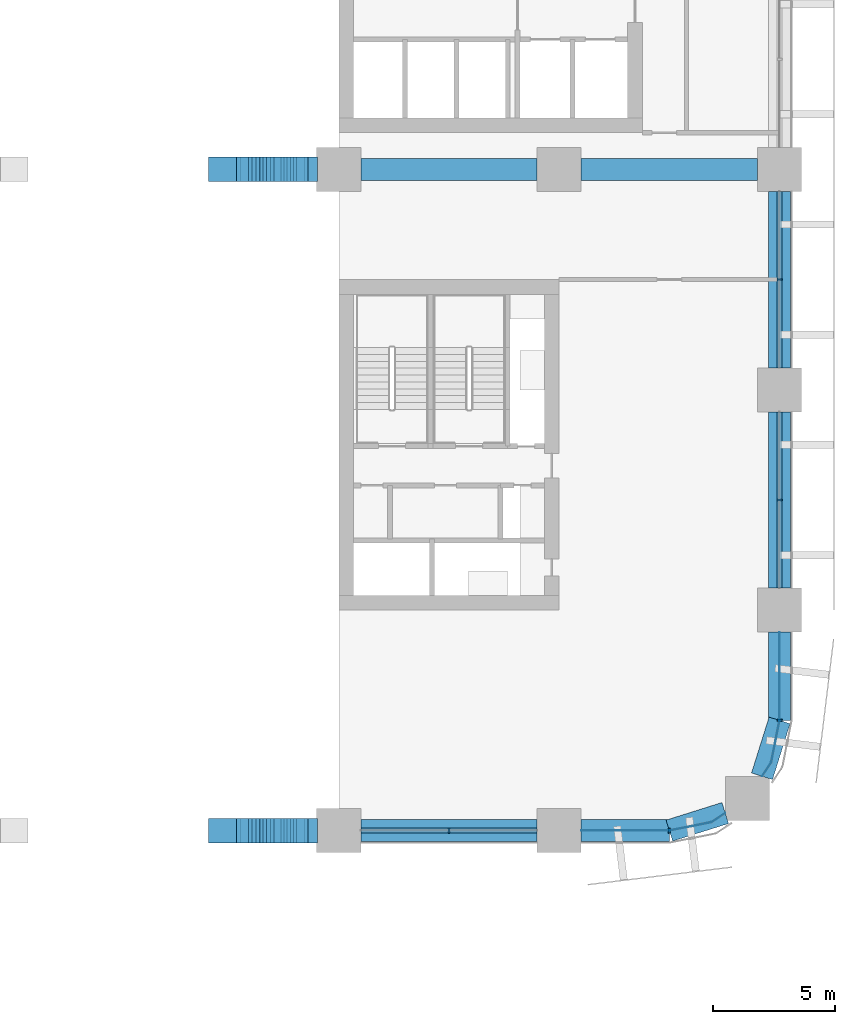
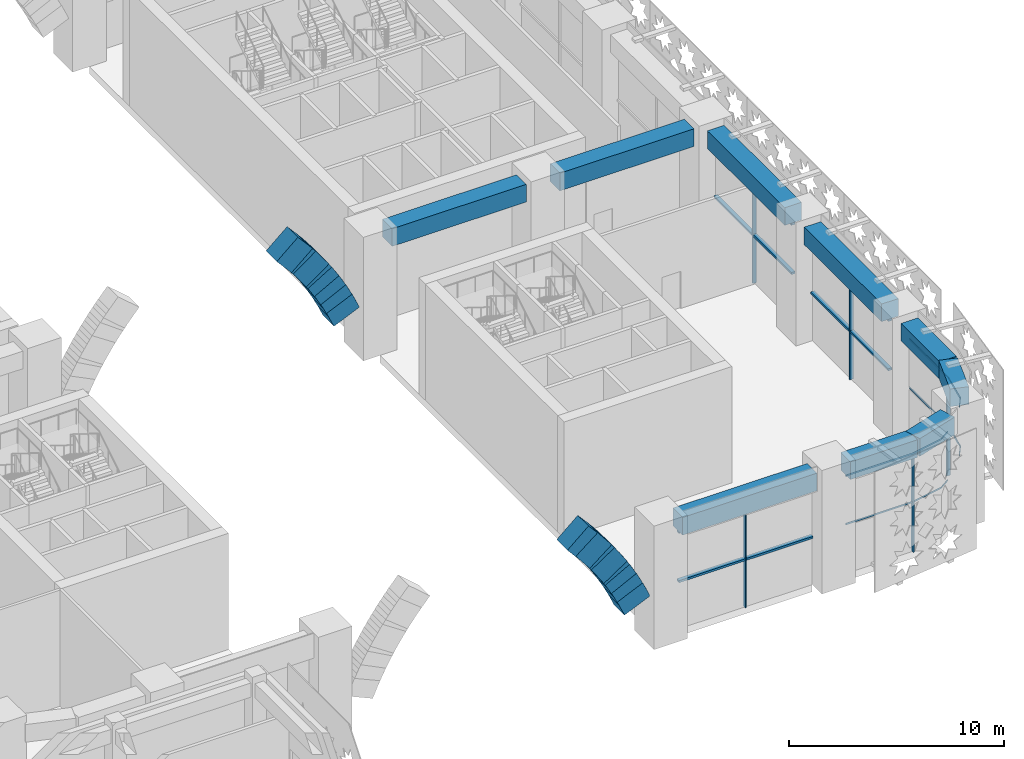
# One storey, part 6 of 42: 31 members, 9 beams, 5 elements without a shape of their own.
"""IFC4 building model written with IfcOpenShell, lengths in metres."""

from ifc_helpers import new_model, si_unit, direction, frame, origin, origin_2d, place, context, subcontext, project, spatial, polyline, rectangle, outline, extrude, material, material_profile, profile_set, type_object, element, aggregate, save


model = new_model("IFC4")

# Units and contexts
model_context = context("Model", 3, precision=1e-05, world=origin(), true_north=direction((0.0, 1.0)))
body_context = subcontext(model_context, "Body", "Model", "MODEL_VIEW")
ifc_project = project(units=[si_unit("LENGTHUNIT", "METRE"), si_unit("AREAUNIT", "SQUARE_METRE"), si_unit("VOLUMEUNIT", "CUBIC_METRE"), si_unit("PLANEANGLEUNIT", "RADIAN"), si_unit("MASSUNIT", "GRAM", prefix="KILO")], contexts=[model_context])

# Site, building, storey
site_placement = place(None, origin())
site = spatial("IfcSite", under=ifc_project, at=site_placement, CompositionType="ELEMENT")
building_placement = place(site_placement, origin())
building = spatial("IfcBuilding", under=site, at=building_placement, Name="Tessera Arch", CompositionType="ELEMENT")
storey_placement = place(building_placement, frame((0.0, 0.0, 14.0)))
storey = spatial("IfcBuildingStorey", under=building, at=storey_placement, Name="L02", CompositionType="ELEMENT", Elevation=14.0)

# Members
ifc_material_1 = material(Name="Concrete C80/95", Category="concrete")
ifc_material_profile_1 = material_profile(ifc_material_1, rectangle(XDim=1.0, YDim=1.5, at=origin_2d()), Name="RC 1000x1500")
ifc_profile_set_1 = profile_set([ifc_material_profile_1], Name="Concrete C80/95")
member_type_1 = type_object("IfcMemberType", Name="Arch rib RC 1000x1500", PredefinedType="MEMBER", material=ifc_profile_set_1)
member_1_placement = place(storey_placement, frame((34.438720703125, 0.0, 2.496826171875), z_axis=(-0.407251614669, 0.0, 0.913316003555), x_axis=(0.0, -1.0, 0.0)))
element("IfcMember", 1, at=member_1_placement, inside=storey, type_object=member_type_1, Name="Arch rib A segment 17", PredefinedType="MEMBER", context=body_context, shape_type="SweptSolid", body=[
    extrude(rectangle(XDim=1.0, YDim=1.5, at=origin_2d()), origin(), (0.0, 0.0, 1.0), 0.9560546875),
])
for number, where, z_axis, x_axis, name in (
    (2, (34.262451171875, 0.0, 2.91796875), (-0.445350252259, 0.0, 0.895356438974), (0.0, -1.0, 0.0), "Arch rib A segment 18"),
    (3, (33.957275390625, 0.0, 3.554931640625), (-0.482563558222, 0.0, 0.875860954876), (0.0, -1.0, 0.0), "Arch rib A segment 19"),
    (4, (33.625732421875, 0.0, 4.1787109375), (-0.519221099191, 0.0, 0.854639953522), (0.0, -1.0, 0.0), "Arch rib A segment 20"),
    (5, (33.26806640625, 0.0, 4.787841796875), (-0.554840327076, 0.0, 0.831956856724), (0.0, -1.0, 0.0), "Arch rib A segment 21"),
    (6, (32.885009765625, 0.0, 5.38134765625), (-0.589422662989, 0.0, 0.807824810436), (0.0, -1.0, 0.0), "Arch rib A segment 22"),
    (7, (32.477294921875, 0.0, 5.958251953125), (-0.622841902494, 0.0, 0.782347726077), (0.0, -1.0, 0.0), "Arch rib A segment 23"),
    (8, (32.04541015625, 0.0, 6.517333984375), (-0.655231032933, 0.0, 0.755428549554), (0.0, -1.0, 0.0), "Arch rib A segment 24"),
):
    element("IfcMember", number, at=place(storey_placement, frame(where, z_axis=z_axis, x_axis=x_axis)), inside=storey, type_object=member_type_1, Name=name, PredefinedType="MEMBER", context=body_context, shape_type="SweptSolid", body=[
        extrude(rectangle(XDim=1.0, YDim=1.5, at=origin_2d()), origin(), (0.0, 0.0, 1.0), 1.2060546875),
    ])
member_2_placement = place(storey_placement, frame((34.438720703125, 27.0, 2.496826171875), z_axis=(-0.407251614669, 0.0, 0.913316003555), x_axis=(0.0, -1.0, 0.0)))
element("IfcMember", 9, at=member_2_placement, inside=storey, type_object=member_type_1, Name="Arch rib B segment 17", PredefinedType="MEMBER", context=body_context, shape_type="SweptSolid", body=[
    extrude(rectangle(XDim=1.0, YDim=1.5, at=origin_2d()), origin(), (0.0, 0.0, 1.0), 0.9560546875),
])
for number, where, z_axis, x_axis, name in (
    (10, (34.262451171875, 27.0, 2.91796875), (-0.445350252259, 0.0, 0.895356438974), (0.0, -1.0, 0.0), "Arch rib B segment 18"),
    (11, (33.957275390625, 27.0, 3.554931640625), (-0.482563558222, 0.0, 0.875860954876), (0.0, -1.0, 0.0), "Arch rib B segment 19"),
    (12, (33.625732421875, 27.0, 4.1787109375), (-0.519221099191, 0.0, 0.854639953522), (0.0, -1.0, 0.0), "Arch rib B segment 20"),
    (13, (33.26806640625, 27.0, 4.787841796875), (-0.554840327076, 0.0, 0.831956856724), (0.0, -1.0, 0.0), "Arch rib B segment 21"),
    (14, (32.885009765625, 27.0, 5.38134765625), (-0.589422662989, 0.0, 0.807824810436), (0.0, -1.0, 0.0), "Arch rib B segment 22"),
    (15, (32.477294921875, 27.0, 5.958251953125), (-0.622841902494, 0.0, 0.782347726077), (0.0, -1.0, 0.0), "Arch rib B segment 23"),
    (16, (32.04541015625, 27.0, 6.517333984375), (-0.655231032933, 0.0, 0.755428549554), (0.0, -1.0, 0.0), "Arch rib B segment 24"),
):
    element("IfcMember", number, at=place(storey_placement, frame(where, z_axis=z_axis, x_axis=x_axis)), inside=storey, type_object=member_type_1, Name=name, PredefinedType="MEMBER", context=body_context, shape_type="SweptSolid", body=[
        extrude(rectangle(XDim=1.0, YDim=1.5, at=origin_2d()), origin(), (0.0, 0.0, 1.0), 1.2060546875),
    ])

# Curtain wall, member
ifc_material_2 = material(Name="CW2 curtain wall")
curtain_wall_type_1 = type_object("IfcCurtainWallType", Name="CW2 curtain wall", PredefinedType="NOTDEFINED", material=ifc_material_2)
curtain_wall_1_placement = place(storey_placement, origin())
curtain_wall_1 = element("IfcCurtainWall", 17, at=curtain_wall_1_placement, inside=storey, type_object=curtain_wall_type_1, Name="CW2 curtain wall S0.36/1 L02", PredefinedType="NOTDEFINED")
ifc_material_3 = material(Name="Anodised aluminium pale metal", Category="aluminium")
ifc_material_profile_2 = material_profile(ifc_material_3, rectangle(XDim=0.199951171875, YDim=0.080078125, at=origin_2d()), Name="AL 80x200")
ifc_profile_set_2 = profile_set([ifc_material_profile_2], Name="Anodised aluminium pale metal")
member_type_2 = type_object("IfcMemberType", Name="CW2 mullion", PredefinedType="MULLION", material=ifc_profile_set_2)
member_3_placement = place(storey_placement, frame((49.5, 0.0, 0.0), z_axis=(0.0, 0.0, 1.0), x_axis=(0.0, 1.0, 0.0)))
member_3 = element("IfcMember", 18, at=member_3_placement, type_object=member_type_2, Name="CW2 mullion S0.36/1 1", PredefinedType="MULLION", context=body_context, shape_type="SweptSolid", body=[
    extrude(rectangle(XDim=0.199951171875, YDim=0.080078125, at=origin_2d()), origin(), (0.0, 0.0, 1.0), 5.489990234375),
])

curtain_wall_2_placement = place(storey_placement, origin())
curtain_wall_2 = element("IfcCurtainWall", 19, at=curtain_wall_2_placement, inside=storey, type_object=curtain_wall_type_1, Name="CW2 curtain wall E54.0/5 L02", PredefinedType="NOTDEFINED")
member_4_placement = place(storey_placement, frame((54.0, 4.5, 0.0), z_axis=(0.0, 0.0, 1.0), x_axis=(-1.0, 0.0, 0.0)))
member_4 = element("IfcMember", 20, at=member_4_placement, type_object=member_type_2, Name="CW2 mullion E54.0/5 1", PredefinedType="MULLION", context=body_context, shape_type="SweptSolid", body=[
    extrude(rectangle(XDim=0.199951171875, YDim=0.080078125, at=origin_2d()), origin(), (0.0, 0.0, 1.0), 5.489990234375),
])

# Member
ifc_material_4 = material(Name="Anodised aluminium pale metal", Category="aluminium")
ifc_material_profile_3 = material_profile(ifc_material_4, rectangle(XDim=0.199951171875, YDim=0.10009765625, at=origin_2d()), Name="AL 200x100")
ifc_profile_set_3 = profile_set([ifc_material_profile_3], Name="Anodised aluminium pale metal")
member_type_3 = type_object("IfcMemberType", Name="CW2 transom", PredefinedType="USERDEFINED", material=ifc_profile_set_3)
member_5_placement = place(storey_placement, frame((0.0, 0.0, 2.7451171875)))
member_5 = element("IfcMember", 21, at=member_5_placement, type_object=member_type_3, Name="CW2 transom S0.36/1 1", ObjectType="TRANSOM", PredefinedType="USERDEFINED", context=body_context, shape_type="SweptSolid", body=[
    extrude(outline(polyline([(49.4990234375, 0.010009765625), (45.89990234375, 0.010009765625), (45.89990234375, -0.010009765625), (49.5009765625, -0.010009765625), (51.22607421875, 0.3330078125), (51.78759765625, 0.70849609375), (51.7763671875, 0.72509765625), (51.21826171875, 0.351806640625), (49.4990234375, 0.010009765625)])), origin(), (0.0, 0.0, 1.0), 0.099853515625),
])

member_6_placement = place(storey_placement, frame((0.0, 0.0, 5.489990234375)))
member_6 = element("IfcMember", 22, at=member_6_placement, type_object=member_type_3, Name="CW2 transom S0.36/1 2", ObjectType="TRANSOM", PredefinedType="USERDEFINED", context=body_context, shape_type="SweptSolid", body=[
    extrude(outline(polyline([(49.4990234375, 0.010009765625), (45.89990234375, 0.010009765625), (45.89990234375, -0.010009765625), (49.5009765625, -0.010009765625), (51.22607421875, 0.3330078125), (51.78759765625, 0.70849609375), (51.7763671875, 0.72509765625), (51.21826171875, 0.351806640625), (49.4990234375, 0.010009765625)])), origin(), (0.0, 0.0, 1.0), 0.10009765625),
])

aggregate(curtain_wall_1, [member_3, member_5, member_6])

member_7_placement = place(storey_placement, frame((0.0, 0.0, 2.7451171875)))
member_7 = element("IfcMember", 23, at=member_7_placement, type_object=member_type_3, Name="CW2 transom E54.0/5 1", ObjectType="TRANSOM", PredefinedType="USERDEFINED", context=body_context, shape_type="SweptSolid", body=[
    extrude(outline(polyline([(53.648193359375, 2.78173828125), (53.27490234375, 2.2236328125), (53.29150390625, 2.21240234375), (53.6669921875, 2.77392578125), (54.010009765625, 4.4990234375), (54.010009765625, 8.10009765625), (53.989990234375, 8.10009765625), (53.989990234375, 4.5009765625), (53.648193359375, 2.78173828125)])), origin(), (0.0, 0.0, 1.0), 0.099853515625),
])

member_8_placement = place(storey_placement, frame((0.0, 0.0, 5.489990234375)))
member_8 = element("IfcMember", 24, at=member_8_placement, type_object=member_type_3, Name="CW2 transom E54.0/5 2", ObjectType="TRANSOM", PredefinedType="USERDEFINED", context=body_context, shape_type="SweptSolid", body=[
    extrude(outline(polyline([(53.648193359375, 2.78173828125), (53.27490234375, 2.2236328125), (53.29150390625, 2.21240234375), (53.6669921875, 2.77392578125), (54.010009765625, 4.4990234375), (54.010009765625, 8.10009765625), (53.989990234375, 8.10009765625), (53.989990234375, 4.5009765625), (53.648193359375, 2.78173828125)])), origin(), (0.0, 0.0, 1.0), 0.10009765625),
])

aggregate(curtain_wall_2, [member_4, member_7, member_8])

# Curtain wall, member
ifc_material_5 = material(Name="CW6 curtain wall")
curtain_wall_type_2 = type_object("IfcCurtainWallType", Name="CW6 curtain wall", PredefinedType="NOTDEFINED", material=ifc_material_5)
curtain_wall_3_placement = place(storey_placement, origin())
curtain_wall_3 = element("IfcCurtainWall", 25, at=curtain_wall_3_placement, inside=storey, type_object=curtain_wall_type_2, Name="CW6 curtain wall E54.0/0 L02", PredefinedType="NOTDEFINED")
ifc_material_6 = material(Name="Anodised aluminium pale metal", Category="aluminium")
ifc_material_profile_4 = material_profile(ifc_material_6, rectangle(XDim=0.199951171875, YDim=0.070068359375, at=origin_2d()), Name="AL 70x200")
ifc_profile_set_4 = profile_set([ifc_material_profile_4], Name="Anodised aluminium pale metal")
member_type_4 = type_object("IfcMemberType", Name="CW6 mullion", PredefinedType="MULLION", material=ifc_profile_set_4)
member_9_placement = place(storey_placement, frame((54.0, 13.5, 0.0), z_axis=(0.0, 0.0, 1.0), x_axis=(-1.0, 0.0, 0.0)))
member_9 = element("IfcMember", 26, at=member_9_placement, type_object=member_type_4, Name="CW6 mullion E54.0/0 1", PredefinedType="MULLION", context=body_context, shape_type="SweptSolid", body=[
    extrude(rectangle(XDim=0.199951171875, YDim=0.070068359375, at=origin_2d()), origin(), (0.0, 0.0, 1.0), 5.469970703125),
])

curtain_wall_4_placement = place(storey_placement, origin())
curtain_wall_4 = element("IfcCurtainWall", 27, at=curtain_wall_4_placement, inside=storey, type_object=curtain_wall_type_2, Name="CW6 curtain wall E54.0/1 L02", PredefinedType="NOTDEFINED")
member_10_placement = place(storey_placement, frame((54.0, 22.5, 0.0), z_axis=(0.0, 0.0, 1.0), x_axis=(-1.0, 0.0, 0.0)))
member_10 = element("IfcMember", 28, at=member_10_placement, type_object=member_type_4, Name="CW6 mullion E54.0/1 1", PredefinedType="MULLION", context=body_context, shape_type="SweptSolid", body=[
    extrude(rectangle(XDim=0.199951171875, YDim=0.070068359375, at=origin_2d()), origin(), (0.0, 0.0, 1.0), 5.469970703125),
])

curtain_wall_5_placement = place(storey_placement, origin())
curtain_wall_5 = element("IfcCurtainWall", 29, at=curtain_wall_5_placement, inside=storey, type_object=curtain_wall_type_2, Name="CW6 curtain wall S0.36/0 L02", PredefinedType="NOTDEFINED")
member_11_placement = place(storey_placement, frame((40.5, 0.0, 0.0), z_axis=(0.0, 0.0, 1.0), x_axis=(0.0, 1.0, 0.0)))
member_11 = element("IfcMember", 30, at=member_11_placement, type_object=member_type_4, Name="CW6 mullion S0.36/0 1", PredefinedType="MULLION", context=body_context, shape_type="SweptSolid", body=[
    extrude(rectangle(XDim=0.199951171875, YDim=0.070068359375, at=origin_2d()), origin(), (0.0, 0.0, 1.0), 5.469970703125),
])

# Member
ifc_material_7 = material(Name="Anodised aluminium pale metal", Category="aluminium")
ifc_material_profile_5 = material_profile(ifc_material_7, rectangle(XDim=0.199951171875, YDim=0.1201171875, at=origin_2d()), Name="AL 200x120")
ifc_profile_set_5 = profile_set([ifc_material_profile_5], Name="Anodised aluminium pale metal")
member_type_5 = type_object("IfcMemberType", Name="CW6 transom", PredefinedType="USERDEFINED", material=ifc_profile_set_5)
member_12_placement = place(storey_placement, frame((54.0, 9.89990234375, 5.530029296875), z_axis=(0.0, 1.0, 0.0), x_axis=(-1.0, 0.0, 0.0)))
member_12 = element("IfcMember", 31, at=member_12_placement, type_object=member_type_5, Name="CW6 transom E54.0/0 1.1", ObjectType="TRANSOM", PredefinedType="USERDEFINED", context=body_context, shape_type="SweptSolid", body=[
    extrude(rectangle(XDim=0.199951171875, YDim=0.1201171875, at=origin_2d()), origin(), (0.0, 0.0, 1.0), 7.2001953125),
])

member_13_placement = place(storey_placement, frame((54.0, 9.89990234375, 2.735107421875), z_axis=(0.0, 1.0, 0.0), x_axis=(-1.0, 0.0, 0.0)))
member_13 = element("IfcMember", 32, at=member_13_placement, type_object=member_type_5, Name="CW6 transom E54.0/0 2.1", ObjectType="TRANSOM", PredefinedType="USERDEFINED", context=body_context, shape_type="SweptSolid", body=[
    extrude(rectangle(XDim=0.199951171875, YDim=0.1201171875, at=origin_2d()), origin(), (0.0, 0.0, 1.0), 7.2001953125),
])

aggregate(curtain_wall_3, [member_9, member_12, member_13])

member_14_placement = place(storey_placement, frame((54.0, 18.89990234375, 5.530029296875), z_axis=(0.0, 1.0, 0.0), x_axis=(-1.0, 0.0, 0.0)))
member_14 = element("IfcMember", 33, at=member_14_placement, type_object=member_type_5, Name="CW6 transom E54.0/1 1.1", ObjectType="TRANSOM", PredefinedType="USERDEFINED", context=body_context, shape_type="SweptSolid", body=[
    extrude(rectangle(XDim=0.199951171875, YDim=0.1201171875, at=origin_2d()), origin(), (0.0, 0.0, 1.0), 7.2001953125),
])

member_15_placement = place(storey_placement, frame((54.0, 18.89990234375, 2.735107421875), z_axis=(0.0, 1.0, 0.0), x_axis=(-1.0, 0.0, 0.0)))
member_15 = element("IfcMember", 34, at=member_15_placement, type_object=member_type_5, Name="CW6 transom E54.0/1 2.1", ObjectType="TRANSOM", PredefinedType="USERDEFINED", context=body_context, shape_type="SweptSolid", body=[
    extrude(rectangle(XDim=0.199951171875, YDim=0.1201171875, at=origin_2d()), origin(), (0.0, 0.0, 1.0), 7.2001953125),
])

aggregate(curtain_wall_4, [member_10, member_14, member_15])

member_16_placement = place(storey_placement, frame((36.89990234375, 0.0, 5.530029296875), z_axis=(1.0, 0.0, 0.0), x_axis=(0.0, 1.0, 0.0)))
member_16 = element("IfcMember", 35, at=member_16_placement, type_object=member_type_5, Name="CW6 transom S0.36/0 1.1", ObjectType="TRANSOM", PredefinedType="USERDEFINED", context=body_context, shape_type="SweptSolid", body=[
    extrude(rectangle(XDim=0.199951171875, YDim=0.1201171875, at=origin_2d()), origin(), (0.0, 0.0, 1.0), 7.2001953125),
])

member_17_placement = place(storey_placement, frame((36.89990234375, 0.0, 2.735107421875), z_axis=(1.0, 0.0, 0.0), x_axis=(0.0, 1.0, 0.0)))
member_17 = element("IfcMember", 36, at=member_17_placement, type_object=member_type_5, Name="CW6 transom S0.36/0 2.1", ObjectType="TRANSOM", PredefinedType="USERDEFINED", context=body_context, shape_type="SweptSolid", body=[
    extrude(rectangle(XDim=0.199951171875, YDim=0.1201171875, at=origin_2d()), origin(), (0.0, 0.0, 1.0), 7.2001953125),
])

aggregate(curtain_wall_5, [member_11, member_16, member_17])

# Beams
ifc_material_8 = material(Name="Concrete C80/95", Category="concrete")
ifc_material_profile_6 = material_profile(ifc_material_8, rectangle(XDim=0.89990234375, YDim=1.0, at=origin_2d()), Name="RC spandrel beam 900 x 1000 Concrete C80/95")
ifc_profile_set_6 = profile_set([ifc_material_profile_6], Name="Concrete C80/95")
beam_type = type_object("IfcBeamType", Name="RC spandrel beam 900 x 1000 Concrete C80/95", PredefinedType="BEAM", material=ifc_profile_set_6)
for number, where, z_axis, x_axis, name in (
    (37, (54.0, 9.89990234375, 6.090087890625), (0.0, 1.0, 0.0), (-1.0, 0.0, 0.0), "Spandrel beam L02 E54.0/0"),
    (38, (54.0, 18.89990234375, 6.090087890625), (0.0, 1.0, 0.0), (-1.0, 0.0, 0.0), "Spandrel beam L02 E54.0/1"),
    (39, (36.89990234375, 0.0, 6.090087890625), (1.0, 0.0, 0.0), (0.0, 1.0, 0.0), "Spandrel beam L02 S0.36/0"),
):
    element("IfcBeam", number, at=place(storey_placement, frame(where, z_axis=z_axis, x_axis=x_axis)), inside=storey, type_object=beam_type, Name=name, PredefinedType="BEAM", context=body_context, shape_type="SweptSolid", body=[
        extrude(rectangle(XDim=0.89990234375, YDim=1.0, at=origin_2d()), origin(), (0.0, 0.0, 1.0), 7.2001953125),
    ])
beam_1_placement = place(storey_placement, frame((45.89990234375, 0.0, 6.090087890625), z_axis=(1.0, 0.0, 0.0), x_axis=(0.0, 1.0, 0.0)))
element("IfcBeam", 40, at=beam_1_placement, inside=storey, type_object=beam_type, Name="Spandrel beam L02 S0.36/1.1", PredefinedType="BEAM", context=body_context, shape_type="SweptSolid", body=[
    extrude(rectangle(XDim=0.89990234375, YDim=1.0, at=origin_2d()), origin(), (0.0, 0.0, 1.0), 3.60009765625),
])
for number, where, z_axis, x_axis, name in (
    (41, (49.5, 0.0, 6.090087890625), (0.954041251279, 0.299675309057, 0.0), (-0.299675309057, 0.954041251279, 0.0), "Spandrel beam L02 S0.36/1.2"),
    (42, (53.283203125, 2.218017578125, 6.090087890625), (0.299675309057, 0.954041251279, 0.0), (-0.954041251279, 0.299675309057, 0.0), "Spandrel beam L02 E54.0/5.1"),
):
    element("IfcBeam", number, at=place(storey_placement, frame(where, z_axis=z_axis, x_axis=x_axis)), inside=storey, type_object=beam_type, Name=name, PredefinedType="BEAM", context=body_context, shape_type="SweptSolid", body=[
        extrude(rectangle(XDim=0.89990234375, YDim=1.0, at=origin_2d()), origin(), (0.0, 0.0, 1.0), 2.391845703125),
    ])
beam_2_placement = place(storey_placement, frame((54.0, 4.5, 6.090087890625), z_axis=(0.0, 1.0, 0.0), x_axis=(-1.0, 0.0, 0.0)))
element("IfcBeam", 43, at=beam_2_placement, inside=storey, type_object=beam_type, Name="Spandrel beam L02 E54.0/5.2", PredefinedType="BEAM", context=body_context, shape_type="SweptSolid", body=[
    extrude(rectangle(XDim=0.89990234375, YDim=1.0, at=origin_2d()), origin(), (0.0, 0.0, 1.0), 3.60009765625),
])
for number, where, z_axis, x_axis, name in (
    (44, (36.89990234375, 27.0, 6.090087890625), (1.0, 0.0, 0.0), (0.0, 1.0, 0.0), "Interface beam L02 I1C5D-C6D"),
    (45, (45.89990234375, 27.0, 6.090087890625), (1.0, 0.0, 0.0), (0.0, 1.0, 0.0), "Interface beam L02 I1C6D-C7D"),
):
    element("IfcBeam", number, at=place(storey_placement, frame(where, z_axis=z_axis, x_axis=x_axis)), inside=storey, type_object=beam_type, Name=name, PredefinedType="BEAM", context=body_context, shape_type="SweptSolid", body=[
        extrude(rectangle(XDim=0.89990234375, YDim=1.0, at=origin_2d()), origin(), (0.0, 0.0, 1.0), 7.2001953125),
    ])

save(model, "model.ifc")
